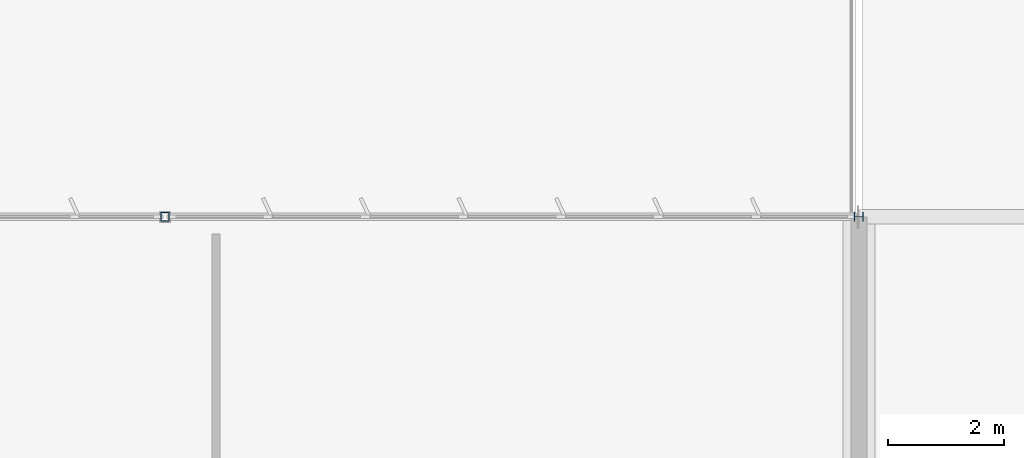
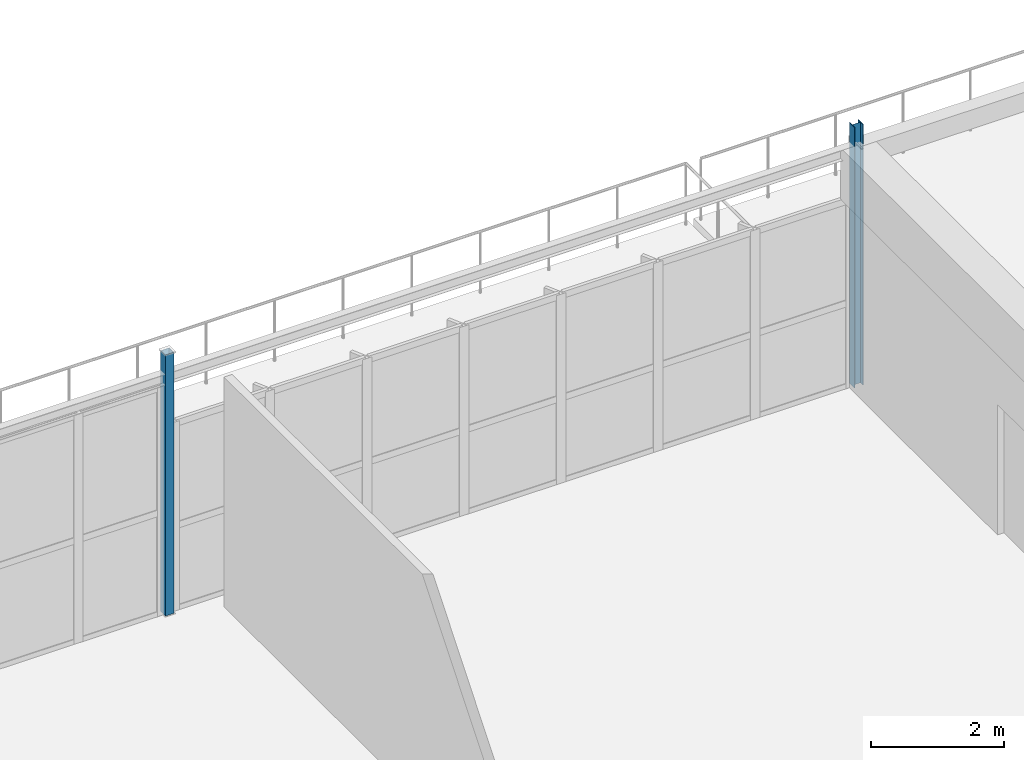
# One storey, part 64 of 199: 2 columns.
"""IFC4 building model written with IfcOpenShell, lengths in metres."""

from ifc_helpers import new_model, si_unit, direction, frame, origin, origin_2d, place, context, subcontext, project, spatial, hollow_rectangle, i_section, extrude, material, material_profile, profile_set, type_object, element, save


model = new_model("IFC4")

# Units and contexts
model_context = context("Model", 3, precision=1e-05, world=origin(), true_north=direction((0.0, 1.0)))
body_context = subcontext(model_context, "Body", "Model", "MODEL_VIEW")
ifc_project = project(units=[si_unit("LENGTHUNIT", "METRE"), si_unit("AREAUNIT", "SQUARE_METRE"), si_unit("VOLUMEUNIT", "CUBIC_METRE"), si_unit("PLANEANGLEUNIT", "RADIAN"), si_unit("MASSUNIT", "GRAM", prefix="KILO")], contexts=[model_context])

# Site, building, storey
site_placement = place(None, origin())
site = spatial("IfcSite", under=ifc_project, at=site_placement, CompositionType="ELEMENT")
building_placement = place(site_placement, origin())
building = spatial("IfcBuilding", under=site, at=building_placement, Name="Tarnwether General Hospital", CompositionType="ELEMENT")
storey_placement = place(building_placement, origin())
storey = spatial("IfcBuildingStorey", under=building, at=storey_placement, Name="L00", CompositionType="ELEMENT", Elevation=0.0)

# Columns
ifc_material_1 = material(Name="Steel Grade 350 (350 MPa)", Category="steel")
ifc_material_profile_1 = material_profile(ifc_material_1, i_section(OverallWidth=0.153076171875, OverallDepth=0.157958984375, WebThickness=0.006591796875, FlangeThickness=0.009521484375, at=origin_2d()), Name="150UC30.0")
ifc_profile_set_1 = profile_set([ifc_material_profile_1], Name="Steel Grade 350 (350 MPa)")
column_type_1 = type_object("IfcColumnType", Name="COL-31", PredefinedType="COLUMN", material=ifc_profile_set_1)
column_1_placement = place(storey_placement, frame((132.0, 126.0, 0.0), z_axis=(0.0, 0.0, 1.0), x_axis=(0.0, 1.0, 0.0)))
element("IfcColumn", 1, at=column_1_placement, inside=storey, type_object=column_type_1, Name="Column COLG-L00-13200_12600", PredefinedType="COLUMN", context=body_context, shape_type="SweptSolid", body=[
    extrude(i_section(OverallWidth=0.153076171875, OverallDepth=0.157958984375, WebThickness=0.006591796875, FlangeThickness=0.009521484375, at=origin_2d()), origin(), (0.0, 0.0, 1.0), 4.800048828125),
])
ifc_material_2 = material(Name="Steel Grade C350L0 (350 MPa)", Category="steel")
ifc_material_profile_2 = material_profile(ifc_material_2, hollow_rectangle(XDim=0.14990234375, YDim=0.14990234375, WallThickness=0.008056640625, at=origin_2d()), Name="SHS150x150x8")
ifc_profile_set_2 = profile_set([ifc_material_profile_2], Name="Steel Grade C350L0 (350 MPa)")
column_type_2 = type_object("IfcColumnType", Name="COL-33", PredefinedType="COLUMN", material=ifc_profile_set_2)
column_2_placement = place(storey_placement, frame((120.0, 126.0, 0.0), z_axis=(0.0, 0.0, 1.0), x_axis=(1.0, 0.0, 0.0)))
element("IfcColumn", 2, at=column_2_placement, inside=storey, type_object=column_type_2, Name="Column COLG-L00-12000_12600", PredefinedType="COLUMN", context=body_context, shape_type="SweptSolid", body=[
    extrude(hollow_rectangle(XDim=0.14990234375, YDim=0.14990234375, WallThickness=0.008056640625, at=origin_2d()), origin(), (0.0, 0.0, 1.0), 4.800048828125),
])

save(model, "model.ifc")
